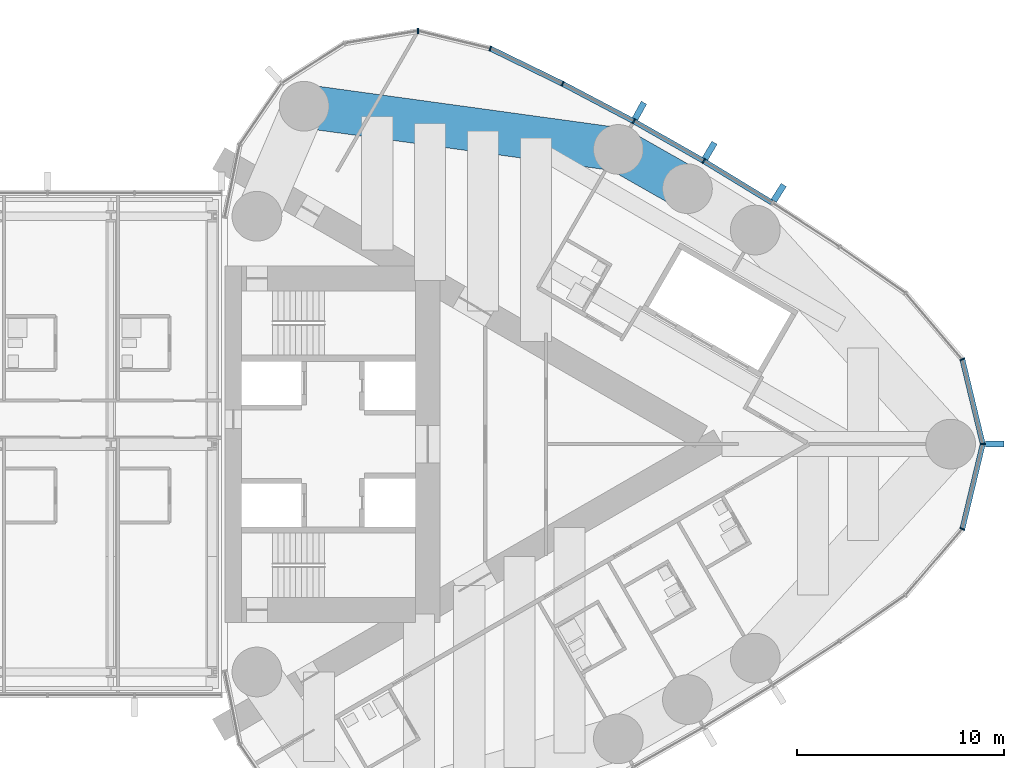
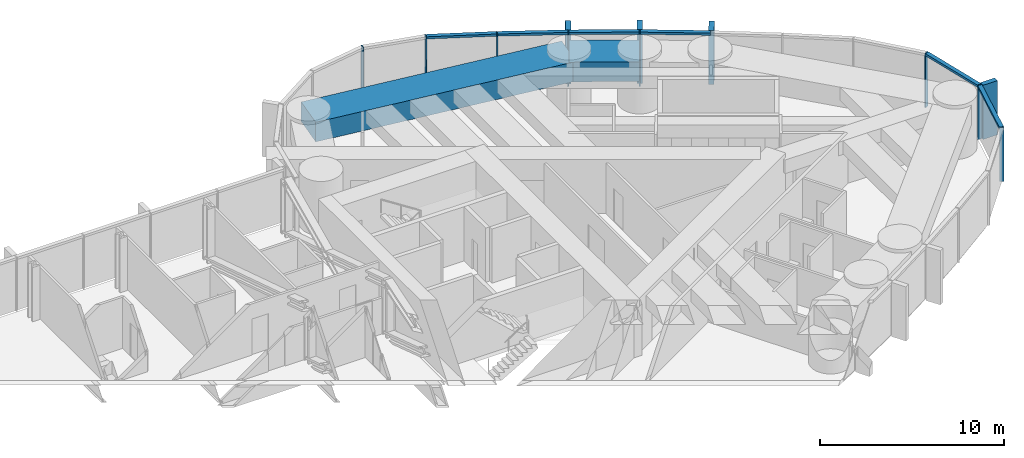
# One storey, part 12 of 24: 18 members, 2 beams, 1 element without a shape of its own.
"""IFC4 building model written with IfcOpenShell, lengths in metres."""

import ifcopenshell
import ifcopenshell.guid

model = None  # the IFC model being written
_history = None  # IfcOwnerHistory: only IFC2X3 demands one
_inside = {}  # id of a spatial element -> (the spatial element, [elements in it])
_under = {}  # id of a project, library or spatial element -> (it, [spatial elements below it])
_declared = {}  # id of a project -> (the project, [libraries it declares])
_typed = {}  # id of a type object -> (the type object, [elements of that type])
_made_of = {}  # id of a material, layer set ... -> (it, [elements and type objects made of it])


def new_model(schema):
    """Start an empty IFC model of exactly this schema.

    Asked for "IFC4X3", IfcOpenShell would pick the latest addendum, in which some entities
    have other attributes; the version numbers below select the first issue.
    IFC2X3 requires an IfcOwnerHistory on every rooted entity: one is made here for all.
    """
    global model, _history
    if schema == "IFC4X3":
        model = ifcopenshell.file(schema_version=(4, 3, 0, 0))
    else:
        model = ifcopenshell.file(schema=schema)
    _inside.clear()
    _under.clear()
    _declared.clear()
    _typed.clear()
    _made_of.clear()
    _history = None
    if model.schema == "IFC2X3":
        org = make("IfcOrganization", Name="unknown")
        user = make(
            "IfcPersonAndOrganization",
            ThePerson=make("IfcPerson", FamilyName="unknown"),
            TheOrganization=org,
        )
        app = make(
            "IfcApplication",
            ApplicationDeveloper=org,
            Version="unknown",
            ApplicationFullName="unknown",
            ApplicationIdentifier="unknown",
        )
        _history = make(
            "IfcOwnerHistory",
            OwningUser=user,
            OwningApplication=app,
            ChangeAction="ADDED",
            CreationDate=0,
        )
    return model


def make(cls, **values):
    """One entity of the class cls with the attributes given. An attribute that is None is left unset."""
    return model.create_entity(
        cls, **{name: value for name, value in values.items() if value is not None}
    )


def rooted(cls, **values):
    """An entity with a GlobalId (a new one), such as an element, a storey or a relation."""
    return make(cls, GlobalId=ifcopenshell.guid.new(), OwnerHistory=_history, **values)


def si_unit(unit_type, name, prefix=None):
    """IfcSIUnit, for example si_unit("LENGTHUNIT", "METRE", prefix="MILLI")."""
    return make("IfcSIUnit", UnitType=unit_type, Prefix=prefix, Name=name)


def assignment(units):
    """IfcUnitAssignment: the units of a project."""
    return None if units is None else make("IfcUnitAssignment", Units=units)


def point(xyz):
    """IfcCartesianPoint."""
    return None if xyz is None else make("IfcCartesianPoint", Coordinates=xyz)


def direction(xyz):
    """IfcDirection."""
    return None if xyz is None else make("IfcDirection", DirectionRatios=xyz)


def frame(location, z_axis=None, x_axis=None):
    """IfcAxis2Placement3D, a coordinate frame: its origin and axes. An axis left out is left unset."""
    return make(
        "IfcAxis2Placement3D",
        Location=point(location),
        Axis=direction(z_axis),
        RefDirection=direction(x_axis),
    )


def frame_2d(location, x_axis=None):
    """IfcAxis2Placement2D, a coordinate frame in the plane: its origin and x axis."""
    return make(
        "IfcAxis2Placement2D", Location=point(location), RefDirection=direction(x_axis)
    )


def origin():
    """The frame at (0, 0, 0) with its axes left unset."""
    return frame((0.0, 0.0, 0.0))


def origin_2d():
    """The frame at (0, 0) in the plane with its x axis left unset."""
    return frame_2d((0.0, 0.0))


def place(relative_to, where):
    """IfcLocalPlacement: puts the frame where relative to a parent placement (None: the world)."""
    return make(
        "IfcLocalPlacement", PlacementRelTo=relative_to, RelativePlacement=where
    )


def context(
    kind, dimensions, precision=None, world=None, true_north=None, identifier=None
):
    """IfcGeometricRepresentationContext, for example the 3D "Model" context."""
    return make(
        "IfcGeometricRepresentationContext",
        ContextIdentifier=identifier,
        ContextType=kind,
        CoordinateSpaceDimension=dimensions,
        Precision=precision,
        WorldCoordinateSystem=world,
        TrueNorth=true_north,
    )


def subcontext(parent, identifier, kind, view, scale=None):
    """IfcGeometricRepresentationSubContext, for example "Body" below "Model"."""
    return make(
        "IfcGeometricRepresentationSubContext",
        ContextIdentifier=identifier,
        ContextType=kind,
        ParentContext=parent,
        TargetScale=scale,
        TargetView=view,
    )


def project(units=None, contexts=None):
    """IfcProject with its units and contexts."""
    return rooted(
        "IfcProject",
        Name="project",
        RepresentationContexts=contexts,
        UnitsInContext=assignment(units),
    )


def spatial(cls, under=None, at=None, **own):
    """A site, building, storey or space (cls), placed at a placement, below another one or the project."""
    s = rooted(cls, ObjectPlacement=at, **own)
    if under is not None:
        _under.setdefault(under.id(), (under, []))[1].append(s)
    return s


def profile(cls, at=None, kind="AREA", **sizes):
    """A parametric profile (cls). Its sizes go by their IFC names, for example OverallWidth=200.0."""
    return make(cls, ProfileType=kind, Position=at, **sizes)


def rectangle(**sizes):
    """IfcRectangleProfileDef."""
    return profile("IfcRectangleProfileDef", **sizes)


def extrude(swept, where, along, depth):
    """IfcExtrudedAreaSolid: the profile swept, set in the frame where, extruded along a direction by depth."""
    return make(
        "IfcExtrudedAreaSolid",
        SweptArea=swept,
        Position=where,
        ExtrudedDirection=direction(along),
        Depth=depth,
    )


def shape(context_of_items, identifier, shape_type, items):
    """IfcShapeRepresentation: the items that make up one representation, for example the "Body"."""
    return make(
        "IfcShapeRepresentation",
        ContextOfItems=context_of_items,
        RepresentationIdentifier=identifier,
        RepresentationType=shape_type,
        Items=items,
    )


def material(Name=None, Category=None):
    """IfcMaterial."""
    return make("IfcMaterial", Name=Name, Category=Category)


def material_profile(
    of_material, cross_section, Name=None, Category=None, Priority=None
):
    """IfcMaterialProfile: a cross section and its material."""
    return make(
        "IfcMaterialProfile",
        Name=Name,
        Material=of_material,
        Profile=cross_section,
        Priority=Priority,
        Category=Category,
    )


def profile_set(profiles, Name=None, composite=None):
    """IfcMaterialProfileSet."""
    return make(
        "IfcMaterialProfileSet",
        Name=Name,
        MaterialProfiles=profiles,
        CompositeProfile=composite,
    )


def made_of(thing, what):
    """Note that an element or type object is made of a material, layer set ...; save() writes the relation."""
    if what is not None:
        _made_of.setdefault(what.id(), (what, []))[1].append(thing)
    return thing


def type_object(cls, material=None, **own):
    """A type object (cls), such as IfcWallType, which elements share."""
    return made_of(rooted(cls, **own), material)


def element(
    cls,
    number,
    at=None,
    inside=None,
    cuts=None,
    type_object=None,
    material=None,
    context=None,
    identifier="Body",
    shape_type=None,
    held_by="IfcProductDefinitionShape",
    body=None,
    shapes=None,
    **own,
):
    """One element of the class cls, such as IfcWall. Its Tag is "e" and its number.

    at: its placement. inside: the storey or other place that contains it. cuts: it is an
    opening in that element (IfcRelVoidsElement). A single representation is given by context,
    identifier, shape_type and body (its items); several are given by shapes. held_by: the class
    of the entity that holds the representations. save() writes the other relations.
    """
    e = rooted(cls, Tag="e%d" % number, ObjectPlacement=at, **own)
    if body is not None:
        shapes = [shape(context, identifier, shape_type, body)]
    if shapes is not None:
        e.Representation = make(held_by, Representations=shapes)
    if inside is not None:
        _inside.setdefault(inside.id(), (inside, []))[1].append(e)
    if cuts is not None:
        rooted(
            "IfcRelVoidsElement", RelatingBuildingElement=cuts, RelatedOpeningElement=e
        )
    if type_object is not None:
        _typed.setdefault(type_object.id(), (type_object, []))[1].append(e)
    return made_of(e, material)


def aggregate(whole, parts):
    """IfcRelAggregates: a whole, such as a stair, and the parts it consists of."""
    return rooted("IfcRelAggregates", RelatingObject=whole, RelatedObjects=parts)


def save(model, path):
    """Write the relations noted so far, then the file.

    IfcRelAggregates (storeys below a building ...), IfcRelContainedInSpatialStructure (elements
    in a storey), IfcRelDefinesByType, IfcRelAssociatesMaterial and IfcRelDeclares: one each for
    every whole, place, type object, material and project.
    """
    for whole, parts in _under.values():
        aggregate(whole, parts)
    for where, things in _inside.values():
        rooted(
            "IfcRelContainedInSpatialStructure",
            RelatedElements=things,
            RelatingStructure=where,
        )
    for kind, things in _typed.values():
        rooted("IfcRelDefinesByType", RelatedObjects=things, RelatingType=kind)
    for what, things in _made_of.values():
        rooted("IfcRelAssociatesMaterial", RelatedObjects=things, RelatingMaterial=what)
    for by, libraries in _declared.values():
        rooted("IfcRelDeclares", RelatingContext=by, RelatedDefinitions=libraries)
    model.write(path)


model = new_model("IFC4")

# Units and contexts
model_context = context("Model", 3, precision=1e-05, world=origin(), true_north=direction((0.0, 1.0)))
body_context = subcontext(model_context, "Body", "Model", "MODEL_VIEW")
ifc_project = project(units=[si_unit("LENGTHUNIT", "METRE"), si_unit("AREAUNIT", "SQUARE_METRE"), si_unit("VOLUMEUNIT", "CUBIC_METRE"), si_unit("PLANEANGLEUNIT", "RADIAN"), si_unit("MASSUNIT", "GRAM", prefix="KILO")], contexts=[model_context])

# Site, building, storey
site_placement = place(None, origin())
site = spatial("IfcSite", under=ifc_project, at=site_placement, CompositionType="ELEMENT")
building_placement = place(site_placement, origin())
building = spatial("IfcBuilding", under=site, at=building_placement, Name="Lancet Gate Hotel", CompositionType="ELEMENT")
storey_placement = place(building_placement, frame((0.0, 0.0, 236.89990234375)))
storey = spatial("IfcBuildingStorey", under=building, at=storey_placement, Name="L63", CompositionType="ELEMENT", Elevation=236.89990234375)

# Curtain wall, members
ifc_material_1 = material(Name="Aluminium curtain wall", Category="aluminium")
curtain_wall_type = type_object("IfcCurtainWallType", Name="Tower unitised curtain wall", PredefinedType="USERDEFINED", material=ifc_material_1)
curtain_wall_placement = place(storey_placement, origin())
curtain_wall = element("IfcCurtainWall", 1, at=curtain_wall_placement, inside=storey, type_object=curtain_wall_type, Name="T2 L63 curtain wall 1", ObjectType="UNITISED CURTAIN WALL", PredefinedType="USERDEFINED")
ifc_material_2 = material(Name="Aluminium mullion", Category="aluminium")
ifc_material_profile_1 = material_profile(ifc_material_2, rectangle(XDim=0.06494140625, YDim=0.25, at=origin_2d()), Name="MULLION 65x250")
ifc_profile_set_1 = profile_set([ifc_material_profile_1], Name="Aluminium mullion")
member_type_1 = type_object("IfcMemberType", Name="Aluminium mullion 65x250", PredefinedType="MULLION", material=ifc_profile_set_1)
member_1_placement = place(storey_placement, frame((63.1064453125, -4.09375, 0.0), z_axis=(0.0, 0.0, 1.0), x_axis=(0.454852851296, 0.890566608215, 0.0)))
member_1 = element("IfcMember", 2, at=member_1_placement, type_object=member_type_1, Name="T2 L63 curtain wall 1 mullion 13", PredefinedType="MULLION", context=body_context, shape_type="SweptSolid", body=[
    extrude(rectangle(XDim=0.06494140625, YDim=0.25, at=origin_2d()), origin(), (0.0, 0.0, 1.0), 3.60009765625),
])
member_2_placement = place(storey_placement, frame((64.09130859375, 0.0, 0.0), z_axis=(0.0, 0.0, 1.0), x_axis=(0.0, 1.0, 0.0)))
member_2 = element("IfcMember", 3, at=member_2_placement, type_object=member_type_1, Name="T2 L63 curtain wall 1 mullion 14", PredefinedType="MULLION", context=body_context, shape_type="SweptSolid", body=[
    extrude(rectangle(XDim=0.06494140625, YDim=0.25, at=origin_2d()), origin(), (0.0, 0.0, 1.0), 3.60009765625),
])
member_3_placement = place(storey_placement, frame((63.1064453125, 4.09375, 0.0), z_axis=(0.0, 0.0, 1.0), x_axis=(-0.454852851296, 0.890566608215, 0.0)))
member_3 = element("IfcMember", 4, at=member_3_placement, type_object=member_type_1, Name="T2 L63 curtain wall 1 mullion 15", PredefinedType="MULLION", context=body_context, shape_type="SweptSolid", body=[
    extrude(rectangle(XDim=0.06494140625, YDim=0.25, at=origin_2d()), origin(), (0.0, 0.0, 1.0), 3.60009765625),
])
member_4_placement = place(storey_placement, frame((50.62060546875, 13.667236328125, 0.0), z_axis=(0.0, 0.0, 1.0), x_axis=(-0.861691755738, 0.507432082247, 0.0)))
member_4 = element("IfcMember", 5, at=member_4_placement, type_object=member_type_1, Name="T2 L63 curtain wall 1 mullion 19", PredefinedType="MULLION", context=body_context, shape_type="SweptSolid", body=[
    extrude(rectangle(XDim=0.06494140625, YDim=0.25, at=origin_2d()), origin(), (0.0, 0.0, 1.0), 3.60009765625),
])
member_5_placement = place(storey_placement, frame((47.24365234375, 15.585205078125, 0.0), z_axis=(0.0, 0.0, 1.0), x_axis=(-0.877194589488, 0.480135035352, 0.0)))
member_5 = element("IfcMember", 6, at=member_5_placement, type_object=member_type_1, Name="T2 L63 curtain wall 1 mullion 20", PredefinedType="MULLION", context=body_context, shape_type="SweptSolid", body=[
    extrude(rectangle(XDim=0.06494140625, YDim=0.25, at=origin_2d()), origin(), (0.0, 0.0, 1.0), 3.60009765625),
])
member_6_placement = place(storey_placement, frame((43.80810546875, 17.396240234375, 0.0), z_axis=(0.0, 0.0, 1.0), x_axis=(-0.891832977257, 0.452364831389, 0.0)))
member_6 = element("IfcMember", 7, at=member_6_placement, type_object=member_type_1, Name="T2 L63 curtain wall 1 mullion 21", PredefinedType="MULLION", context=body_context, shape_type="SweptSolid", body=[
    extrude(rectangle(XDim=0.06494140625, YDim=0.25, at=origin_2d()), origin(), (0.0, 0.0, 1.0), 3.60009765625),
])
member_7_placement = place(storey_placement, frame((40.3173828125, 19.098388671875, 0.0), z_axis=(0.0, 0.0, 1.0), x_axis=(-0.939483740419, 0.342593493061, 0.0)))
member_7 = element("IfcMember", 8, at=member_7_placement, type_object=member_type_1, Name="T2 L63 curtain wall 1 mullion 22", PredefinedType="MULLION", context=body_context, shape_type="SweptSolid", body=[
    extrude(rectangle(XDim=0.06494140625, YDim=0.25, at=origin_2d()), origin(), (0.0, 0.0, 1.0), 3.60009765625),
])
member_8_placement = place(storey_placement, frame((36.826171875, 19.942138671875, 0.0), z_axis=(0.0, 0.0, 1.0), x_axis=(-0.999342744911, 0.03625021647, 0.0)))
member_8 = element("IfcMember", 9, at=member_8_placement, type_object=member_type_1, Name="T2 L63 curtain wall 1 mullion 23", PredefinedType="MULLION", context=body_context, shape_type="SweptSolid", body=[
    extrude(rectangle(XDim=0.06494140625, YDim=0.25, at=origin_2d()), origin(), (0.0, 0.0, 1.0), 3.60009765625),
])
ifc_material_3 = material(Name="Aluminium transom", Category="aluminium")
ifc_material_profile_2 = material_profile(ifc_material_3, rectangle(XDim=0.25, YDim=0.14990234375, at=origin_2d()), Name="TRANSOM 250x150")
ifc_profile_set_2 = profile_set([ifc_material_profile_2], Name="Aluminium transom")
member_type_2 = type_object("IfcMemberType", Name="Aluminium transom 250x150", PredefinedType="USERDEFINED", material=ifc_profile_set_2)
member_9_placement = place(storey_placement, frame((63.114013671875, -4.06201171875, 3.525146484375), z_axis=(0.233920855872, 0.972255641891, 0.0), x_axis=(-0.972255641891, 0.233920855872, 0.0)))
member_9 = element("IfcMember", 10, at=member_9_placement, type_object=member_type_2, Name="T2 L63 curtain wall 1 transom 13", ObjectType="TRANSOM", PredefinedType="USERDEFINED", context=body_context, shape_type="SweptSolid", body=[
    extrude(rectangle(XDim=0.25, YDim=0.14990234375, at=origin_2d()), origin(), (0.0, 0.0, 1.0), 4.1455078125),
])
member_10_placement = place(storey_placement, frame((64.083740234375, 0.031494140625, 3.525146484375), z_axis=(-0.233920855872, 0.972255641891, 0.0), x_axis=(-0.972255641891, -0.233920855872, 0.0)))
member_10 = element("IfcMember", 11, at=member_10_placement, type_object=member_type_2, Name="T2 L63 curtain wall 1 transom 14", ObjectType="TRANSOM", PredefinedType="USERDEFINED", context=body_context, shape_type="SweptSolid", body=[
    extrude(rectangle(XDim=0.25, YDim=0.14990234375, at=origin_2d()), origin(), (0.0, 0.0, 1.0), 4.1455078125),
])
member_11_placement = place(storey_placement, frame((53.907958984375, 11.661376953125, 3.525146484375), z_axis=(-0.853638798527, 0.520865435261, 0.0), x_axis=(-0.520865435261, -0.853638798527, 0.0)))
member_11 = element("IfcMember", 12, at=member_11_placement, type_object=member_type_2, Name="T2 L63 curtain wall 1 transom 18", ObjectType="TRANSOM", PredefinedType="USERDEFINED", context=body_context, shape_type="SweptSolid", body=[
    extrude(rectangle(XDim=0.25, YDim=0.14990234375, at=origin_2d()), origin(), (0.0, 0.0, 1.0), 3.818603515625),
])
member_12_placement = place(storey_placement, frame((50.59228515625, 13.683349609375, 3.525146484375), z_axis=(-0.869562011924, 0.493823761496, 0.0), x_axis=(-0.493823761496, -0.869562011924, 0.0)))
member_12 = element("IfcMember", 13, at=member_12_placement, type_object=member_type_2, Name="T2 L63 curtain wall 1 transom 19", ObjectType="TRANSOM", PredefinedType="USERDEFINED", context=body_context, shape_type="SweptSolid", body=[
    extrude(rectangle(XDim=0.25, YDim=0.14990234375, at=origin_2d()), origin(), (0.0, 0.0, 1.0), 3.818603515625),
])
member_13_placement = place(storey_placement, frame((47.21484375, 15.600341796875, 3.525146484375), z_axis=(-0.884618491031, 0.466315478325, 0.0), x_axis=(-0.466315478325, -0.884618491031, 0.0)))
member_13 = element("IfcMember", 14, at=member_13_placement, type_object=member_type_2, Name="T2 L63 curtain wall 1 transom 20", ObjectType="TRANSOM", PredefinedType="USERDEFINED", context=body_context, shape_type="SweptSolid", body=[
    extrude(rectangle(XDim=0.25, YDim=0.14990234375, at=origin_2d()), origin(), (0.0, 0.0, 1.0), 3.81884765625),
])
member_14_placement = place(storey_placement, frame((43.77880859375, 17.410400390625, 3.525146484375), z_axis=(-0.898820051991, 0.438317823206, 0.0), x_axis=(-0.438317823206, -0.898820051991, 0.0)))
member_14 = element("IfcMember", 15, at=member_14_placement, type_object=member_type_2, Name="T2 L63 curtain wall 1 transom 21", ObjectType="TRANSOM", PredefinedType="USERDEFINED", context=body_context, shape_type="SweptSolid", body=[
    extrude(rectangle(XDim=0.25, YDim=0.14990234375, at=origin_2d()), origin(), (0.0, 0.0, 1.0), 3.81884765625),
])

# Beams
ifc_material_4 = material(Name="Concrete C50/60", Category="concrete")
ifc_material_profile_3 = material_profile(ifc_material_4, rectangle(XDim=2.10009765625, YDim=1.300048828125, at=origin_2d()), Name="RC 2100x1300")
ifc_profile_set_3 = profile_set([ifc_material_profile_3], Name="Concrete C50/60")
beam_type = type_object("IfcBeamType", Name="Edge beam RC 2100x1300", PredefinedType="SPANDREL", material=ifc_profile_set_3)
beam_1_placement = place(storey_placement, frame((49.833984375, 12.331787109375, 2.7001953125), z_axis=(-0.869560321562, 0.493826738001, 0.0), x_axis=(-0.493826738001, -0.869560321562, 0.0)))
element("IfcBeam", 16, at=beam_1_placement, inside=storey, type_object=beam_type, Name="T2 edge beam EB1 L63", PredefinedType="SPANDREL", context=body_context, shape_type="SweptSolid", body=[
    extrude(rectangle(XDim=2.10009765625, YDim=1.300048828125, at=origin_2d()), origin(), (0.0, 0.0, 1.0), 3.8349609375),
])
beam_2_placement = place(storey_placement, frame((46.499267578125, 14.2255859375, 2.7001953125), z_axis=(-0.990685830783, 0.13616748762, 0.0), x_axis=(-0.13616748762, -0.990685830783, 0.0)))
element("IfcBeam", 17, at=beam_2_placement, inside=storey, type_object=beam_type, Name="T2 edge beam EB1 L63", PredefinedType="SPANDREL", context=body_context, shape_type="SweptSolid", body=[
    extrude(rectangle(XDim=2.10009765625, YDim=1.300048828125, at=origin_2d()), origin(), (0.0, 0.0, 1.0), 15.3134765625),
])

# Member
ifc_material_5 = material(Name="Precast concrete C50/60", Category="concrete")
ifc_material_profile_4 = material_profile(ifc_material_5, rectangle(XDim=0.300048828125, YDim=0.89990234375, at=origin_2d()), Name="FIN 300x900")
ifc_profile_set_4 = profile_set([ifc_material_profile_4], Name="Precast concrete C50/60")
member_type_3 = type_object("IfcMemberType", Name="Exposed concrete fin 300x900", PredefinedType="USERDEFINED", material=ifc_profile_set_4)
member_15_placement = place(storey_placement, frame((64.66650390625, 0.0, 0.0), z_axis=(0.0, 0.0, 1.0), x_axis=(0.0, 1.0, 0.0)))
member_15 = element("IfcMember", 18, at=member_15_placement, type_object=member_type_3, Name="T2 L63 curtain wall 1 fin 14", ObjectType="FIN", PredefinedType="USERDEFINED", context=body_context, shape_type="SweptSolid", body=[
    extrude(rectangle(XDim=0.300048828125, YDim=0.89990234375, at=origin_2d()), origin(), (0.0, 0.0, 1.0), 3.60009765625),
])

member_16_placement = place(storey_placement, frame((54.242919921875, 12.13037109375, 0.0), z_axis=(0.0, 0.0, 1.0), x_axis=(-0.845339753513, 0.534229071777, 0.0)))
member_16 = element("IfcMember", 19, at=member_16_placement, type_object=member_type_3, Name="T2 L63 curtain wall 1 fin 18", ObjectType="FIN", PredefinedType="USERDEFINED", context=body_context, shape_type="SweptSolid", body=[
    extrude(rectangle(XDim=0.300048828125, YDim=0.89990234375, at=origin_2d()), origin(), (0.0, 0.0, 1.0), 3.60009765625),
])

member_17_placement = place(storey_placement, frame((50.912353515625, 14.162841796875, 0.0), z_axis=(0.0, 0.0, 1.0), x_axis=(-0.861691755738, 0.507432082247, 0.0)))
member_17 = element("IfcMember", 20, at=member_17_placement, type_object=member_type_3, Name="T2 L63 curtain wall 1 fin 19", ObjectType="FIN", PredefinedType="USERDEFINED", context=body_context, shape_type="SweptSolid", body=[
    extrude(rectangle(XDim=0.300048828125, YDim=0.89990234375, at=origin_2d()), origin(), (0.0, 0.0, 1.0), 3.60009765625),
])

member_18_placement = place(storey_placement, frame((47.51953125, 16.089599609375, 0.0), z_axis=(0.0, 0.0, 1.0), x_axis=(-0.877194589488, 0.480135035352, 0.0)))
member_18 = element("IfcMember", 21, at=member_18_placement, type_object=member_type_3, Name="T2 L63 curtain wall 1 fin 20", ObjectType="FIN", PredefinedType="USERDEFINED", context=body_context, shape_type="SweptSolid", body=[
    extrude(rectangle(XDim=0.300048828125, YDim=0.89990234375, at=origin_2d()), origin(), (0.0, 0.0, 1.0), 3.60009765625),
])

aggregate(curtain_wall, [member_1, member_2, member_15, member_3, member_16, member_4, member_17, member_5, member_18, member_6, member_7, member_8, member_9, member_10, member_11, member_12, member_13, member_14])

save(model, "model.ifc")
